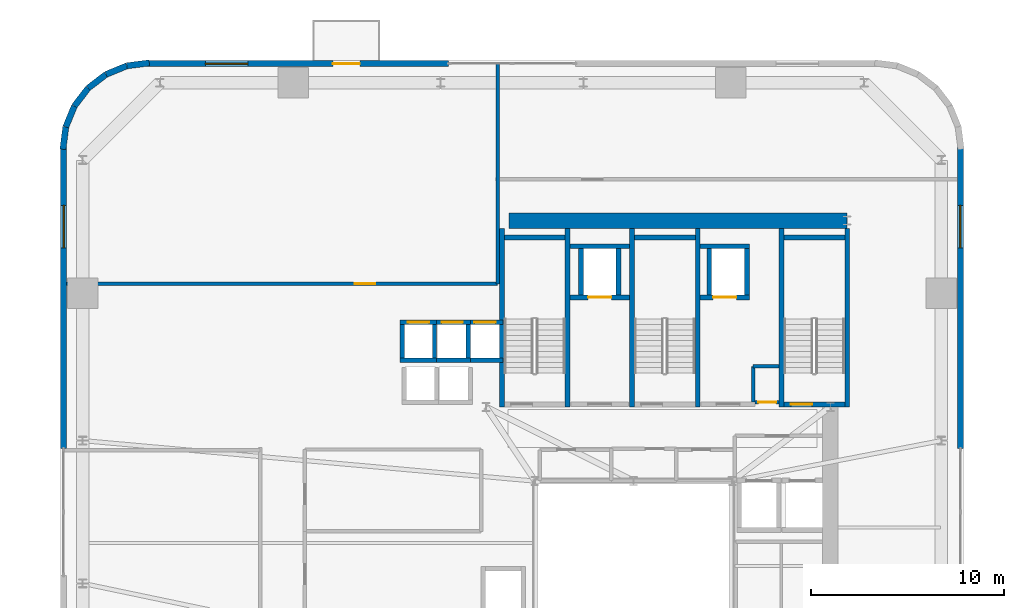
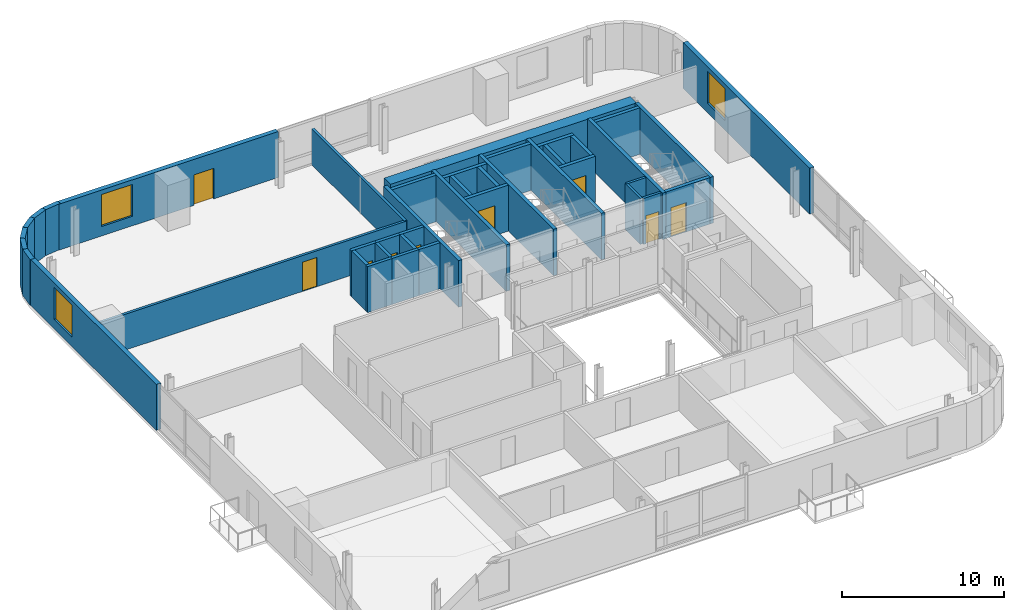
# One storey, part 8 of 13: 42 walls, 9 doors, 3 windows, 12 openings.
"""IFC4 building model written with IfcOpenShell, lengths in metres."""

import ifcopenshell
import ifcopenshell.guid

model = None  # the IFC model being written
_history = None  # IfcOwnerHistory: only IFC2X3 demands one
_inside = {}  # id of a spatial element -> (the spatial element, [elements in it])
_under = {}  # id of a project, library or spatial element -> (it, [spatial elements below it])
_declared = {}  # id of a project -> (the project, [libraries it declares])
_typed = {}  # id of a type object -> (the type object, [elements of that type])
_made_of = {}  # id of a material, layer set ... -> (it, [elements and type objects made of it])


def new_model(schema):
    """Start an empty IFC model of exactly this schema.

    Asked for "IFC4X3", IfcOpenShell would pick the latest addendum, in which some entities
    have other attributes; the version numbers below select the first issue.
    IFC2X3 requires an IfcOwnerHistory on every rooted entity: one is made here for all.
    """
    global model, _history
    if schema == "IFC4X3":
        model = ifcopenshell.file(schema_version=(4, 3, 0, 0))
    else:
        model = ifcopenshell.file(schema=schema)
    _inside.clear()
    _under.clear()
    _declared.clear()
    _typed.clear()
    _made_of.clear()
    _history = None
    if model.schema == "IFC2X3":
        org = make("IfcOrganization", Name="unknown")
        user = make(
            "IfcPersonAndOrganization",
            ThePerson=make("IfcPerson", FamilyName="unknown"),
            TheOrganization=org,
        )
        app = make(
            "IfcApplication",
            ApplicationDeveloper=org,
            Version="unknown",
            ApplicationFullName="unknown",
            ApplicationIdentifier="unknown",
        )
        _history = make(
            "IfcOwnerHistory",
            OwningUser=user,
            OwningApplication=app,
            ChangeAction="ADDED",
            CreationDate=0,
        )
    return model


def make(cls, **values):
    """One entity of the class cls with the attributes given. An attribute that is None is left unset."""
    return model.create_entity(
        cls, **{name: value for name, value in values.items() if value is not None}
    )


def rooted(cls, **values):
    """An entity with a GlobalId (a new one), such as an element, a storey or a relation."""
    return make(cls, GlobalId=ifcopenshell.guid.new(), OwnerHistory=_history, **values)


def si_unit(unit_type, name, prefix=None):
    """IfcSIUnit, for example si_unit("LENGTHUNIT", "METRE", prefix="MILLI")."""
    return make("IfcSIUnit", UnitType=unit_type, Prefix=prefix, Name=name)


def assignment(units):
    """IfcUnitAssignment: the units of a project."""
    return None if units is None else make("IfcUnitAssignment", Units=units)


def point(xyz):
    """IfcCartesianPoint."""
    return None if xyz is None else make("IfcCartesianPoint", Coordinates=xyz)


def direction(xyz):
    """IfcDirection."""
    return None if xyz is None else make("IfcDirection", DirectionRatios=xyz)


def frame(location, z_axis=None, x_axis=None):
    """IfcAxis2Placement3D, a coordinate frame: its origin and axes. An axis left out is left unset."""
    return make(
        "IfcAxis2Placement3D",
        Location=point(location),
        Axis=direction(z_axis),
        RefDirection=direction(x_axis),
    )


def frame_2d(location, x_axis=None):
    """IfcAxis2Placement2D, a coordinate frame in the plane: its origin and x axis."""
    return make(
        "IfcAxis2Placement2D", Location=point(location), RefDirection=direction(x_axis)
    )


def origin():
    """The frame at (0, 0, 0) with its axes left unset."""
    return frame((0.0, 0.0, 0.0))


def place(relative_to, where):
    """IfcLocalPlacement: puts the frame where relative to a parent placement (None: the world)."""
    return make(
        "IfcLocalPlacement", PlacementRelTo=relative_to, RelativePlacement=where
    )


def context(
    kind, dimensions, precision=None, world=None, true_north=None, identifier=None
):
    """IfcGeometricRepresentationContext, for example the 3D "Model" context."""
    return make(
        "IfcGeometricRepresentationContext",
        ContextIdentifier=identifier,
        ContextType=kind,
        CoordinateSpaceDimension=dimensions,
        Precision=precision,
        WorldCoordinateSystem=world,
        TrueNorth=true_north,
    )


def subcontext(parent, identifier, kind, view, scale=None):
    """IfcGeometricRepresentationSubContext, for example "Body" below "Model"."""
    return make(
        "IfcGeometricRepresentationSubContext",
        ContextIdentifier=identifier,
        ContextType=kind,
        ParentContext=parent,
        TargetScale=scale,
        TargetView=view,
    )


def project(units=None, contexts=None):
    """IfcProject with its units and contexts."""
    return rooted(
        "IfcProject",
        Name="project",
        RepresentationContexts=contexts,
        UnitsInContext=assignment(units),
    )


def spatial(cls, under=None, at=None, **own):
    """A site, building, storey or space (cls), placed at a placement, below another one or the project."""
    s = rooted(cls, ObjectPlacement=at, **own)
    if under is not None:
        _under.setdefault(under.id(), (under, []))[1].append(s)
    return s


def profile(cls, at=None, kind="AREA", **sizes):
    """A parametric profile (cls). Its sizes go by their IFC names, for example OverallWidth=200.0."""
    return make(cls, ProfileType=kind, Position=at, **sizes)


def rectangle(**sizes):
    """IfcRectangleProfileDef."""
    return profile("IfcRectangleProfileDef", **sizes)


def extrude(swept, where, along, depth):
    """IfcExtrudedAreaSolid: the profile swept, set in the frame where, extruded along a direction by depth."""
    return make(
        "IfcExtrudedAreaSolid",
        SweptArea=swept,
        Position=where,
        ExtrudedDirection=direction(along),
        Depth=depth,
    )


def shape(context_of_items, identifier, shape_type, items):
    """IfcShapeRepresentation: the items that make up one representation, for example the "Body"."""
    return make(
        "IfcShapeRepresentation",
        ContextOfItems=context_of_items,
        RepresentationIdentifier=identifier,
        RepresentationType=shape_type,
        Items=items,
    )


def source(mapping_origin, context_of_items, identifier, shape_type, items):
    """IfcRepresentationMap: a shape defined once, which mapped items show again and again."""
    return make(
        "IfcRepresentationMap",
        MappingOrigin=mapping_origin,
        MappedRepresentation=shape(context_of_items, identifier, shape_type, items),
    )


def transform(
    local_origin,
    x_axis=None,
    y_axis=None,
    z_axis=None,
    scale=None,
    scale2=None,
    scale3=None,
    uniform=True,
):
    """IfcCartesianTransformationOperator3D, or its non-uniform kind. x_axis, y_axis, z_axis: its Axis1, 2, 3."""
    if uniform:
        return make(
            "IfcCartesianTransformationOperator3D",
            Axis1=direction(x_axis),
            Axis2=direction(y_axis),
            LocalOrigin=point(local_origin),
            Scale=scale,
            Axis3=direction(z_axis),
        )
    return make(
        "IfcCartesianTransformationOperator3DnonUniform",
        Axis1=direction(x_axis),
        Axis2=direction(y_axis),
        LocalOrigin=point(local_origin),
        Scale=scale,
        Axis3=direction(z_axis),
        Scale2=scale2,
        Scale3=scale3,
    )


def mapped(mapping_source, mapping_target):
    """IfcMappedItem: shows the shape of a source again, moved by a transform."""
    return make(
        "IfcMappedItem", MappingSource=mapping_source, MappingTarget=mapping_target
    )


def material(Name=None, Category=None):
    """IfcMaterial."""
    return make("IfcMaterial", Name=Name, Category=Category)


def layer(
    of_material, thickness, ventilated=None, Name=None, Category=None, Priority=None
):
    """IfcMaterialLayer: one layer of a wall or slab, of a material (None: an air gap)."""
    return make(
        "IfcMaterialLayer",
        Material=of_material,
        LayerThickness=thickness,
        IsVentilated=ventilated,
        Name=Name,
        Category=Category,
        Priority=Priority,
    )


def layer_set(layers, Name=None):
    """IfcMaterialLayerSet."""
    return make("IfcMaterialLayerSet", MaterialLayers=layers, LayerSetName=Name)


def made_of(thing, what):
    """Note that an element or type object is made of a material, layer set ...; save() writes the relation."""
    if what is not None:
        _made_of.setdefault(what.id(), (what, []))[1].append(thing)
    return thing


def type_object(cls, material=None, **own):
    """A type object (cls), such as IfcWallType, which elements share."""
    return made_of(rooted(cls, **own), material)


def element(
    cls,
    number,
    at=None,
    inside=None,
    cuts=None,
    type_object=None,
    material=None,
    context=None,
    identifier="Body",
    shape_type=None,
    held_by="IfcProductDefinitionShape",
    body=None,
    shapes=None,
    **own,
):
    """One element of the class cls, such as IfcWall. Its Tag is "e" and its number.

    at: its placement. inside: the storey or other place that contains it. cuts: it is an
    opening in that element (IfcRelVoidsElement). A single representation is given by context,
    identifier, shape_type and body (its items); several are given by shapes. held_by: the class
    of the entity that holds the representations. save() writes the other relations.
    """
    e = rooted(cls, Tag="e%d" % number, ObjectPlacement=at, **own)
    if body is not None:
        shapes = [shape(context, identifier, shape_type, body)]
    if shapes is not None:
        e.Representation = make(held_by, Representations=shapes)
    if inside is not None:
        _inside.setdefault(inside.id(), (inside, []))[1].append(e)
    if cuts is not None:
        rooted(
            "IfcRelVoidsElement", RelatingBuildingElement=cuts, RelatedOpeningElement=e
        )
    if type_object is not None:
        _typed.setdefault(type_object.id(), (type_object, []))[1].append(e)
    return made_of(e, material)


def fill(opening, filler):
    """IfcRelFillsElement: the door or window that sits in an opening."""
    return rooted(
        "IfcRelFillsElement",
        RelatingOpeningElement=opening,
        RelatedBuildingElement=filler,
    )


def aggregate(whole, parts):
    """IfcRelAggregates: a whole, such as a stair, and the parts it consists of."""
    return rooted("IfcRelAggregates", RelatingObject=whole, RelatedObjects=parts)


def save(model, path):
    """Write the relations noted so far, then the file.

    IfcRelAggregates (storeys below a building ...), IfcRelContainedInSpatialStructure (elements
    in a storey), IfcRelDefinesByType, IfcRelAssociatesMaterial and IfcRelDeclares: one each for
    every whole, place, type object, material and project.
    """
    for whole, parts in _under.values():
        aggregate(whole, parts)
    for where, things in _inside.values():
        rooted(
            "IfcRelContainedInSpatialStructure",
            RelatedElements=things,
            RelatingStructure=where,
        )
    for kind, things in _typed.values():
        rooted("IfcRelDefinesByType", RelatedObjects=things, RelatingType=kind)
    for what, things in _made_of.values():
        rooted("IfcRelAssociatesMaterial", RelatedObjects=things, RelatingMaterial=what)
    for by, libraries in _declared.values():
        rooted("IfcRelDeclares", RelatingContext=by, RelatedDefinitions=libraries)
    model.write(path)


model = new_model("IFC4")

# Units and contexts
model_context = context("Model", 3, precision=1e-05, world=origin(), true_north=direction((0.0, 1.0)))
body_context = subcontext(model_context, "Body", "Model", "MODEL_VIEW")
ifc_project = project(units=[si_unit("LENGTHUNIT", "METRE"), si_unit("AREAUNIT", "SQUARE_METRE"), si_unit("VOLUMEUNIT", "CUBIC_METRE"), si_unit("PLANEANGLEUNIT", "RADIAN"), si_unit("MASSUNIT", "GRAM", prefix="KILO")], contexts=[model_context])

# Site, building, storey
site_placement = place(None, origin())
site = spatial("IfcSite", under=ifc_project, at=site_placement, CompositionType="ELEMENT")
building_placement = place(site_placement, origin())
building = spatial("IfcBuilding", under=site, at=building_placement, Name="Vardaveli Station Tower", CompositionType="ELEMENT")
storey_placement = place(building_placement, frame((0.0, 0.0, 159.39990234375)))
storey = spatial("IfcBuildingStorey", under=building, at=storey_placement, Name="L41", CompositionType="ELEMENT", Elevation=159.39990234375)

# Wall
ifc_material_1 = material(Name="Concrete C50/60", Category="concrete")
ifc_layer_1 = layer(ifc_material_1, 0.800048828125, Name="Concrete C50/60")
ifc_layer_set_1 = layer_set([ifc_layer_1], Name="Concrete C50/60")
wall_type_1 = type_object("IfcWallType", Name="WAL-CORE-800", PredefinedType="SHEAR", material=ifc_layer_set_1)
shared_shape_1 = source(origin(), body_context, "Body", "SweptSolid", [
    extrude(rectangle(XDim=17.52001953125, YDim=0.800048828125, at=frame_2d((8.760009765625, 0.0))), origin(), (0.0, 0.0, 1.0), 3.460205078125),
])
wall_1_placement = place(storey_placement, frame((29.85009765625, 40.300048828125, 0.0), z_axis=(0.0, 0.0, 1.0), x_axis=(1.0, 0.0, 0.0)))
element("IfcWall", 1, at=wall_1_placement, inside=storey, type_object=wall_type_1, Name="SW-L41-NORTH", PredefinedType="SHEAR", context=body_context, shape_type="MappedRepresentation", body=[
    mapped(shared_shape_1, transform((0.0, 0.0, 0.0), scale=1.0)),
])

# Wall, openings, door, window
ifc_material_2 = material(Name="Precast concrete C45/55", Category="concrete")
ifc_layer_2 = layer(ifc_material_2, 0.320068359375, Name="Precast concrete C45/55")
ifc_layer_set_2 = layer_set([ifc_layer_2], Name="Precast concrete C45/55")
wall_type_2 = type_object("IfcWallType", Name="WAL-EXT-STONE-320", PredefinedType="SOLIDWALL", material=ifc_layer_set_2)
shared_shape_2 = source(origin(), body_context, "Body", "SweptSolid", [
    extrude(rectangle(XDim=15.599853515625, YDim=0.320068359375, at=frame_2d((7.7998046875, 0.0))), origin(), (0.0, 0.0, 1.0), 3.460205078125),
])
wall_2_placement = place(storey_placement, frame((26.699951171875, 48.43994140625, 0.0), z_axis=(0.0, 0.0, 1.0), x_axis=(-1.0, 0.0, 0.0)))
wall_2 = element("IfcWall", 2, at=wall_2_placement, inside=storey, type_object=wall_type_2, Name="EW-L41-N2", PredefinedType="SOLIDWALL", context=body_context, shape_type="MappedRepresentation", body=[
    mapped(shared_shape_2, transform((0.0, 0.0, 0.0), scale=1.0)),
])
shared_shape_3 = source(origin(), body_context, "Body", "SweptSolid", [
    extrude(rectangle(XDim=1.39990234375, YDim=2.300048828125, at=frame_2d((0.699951171875, 1.14990234375))), frame((0.0, 0.169921875, 0.0), z_axis=(0.0, -1.0, 0.0), x_axis=(1.0, 0.0, 0.0)), (0.0, 0.0, 1.0), 0.340087890625),
])
opening_1_placement = place(wall_2_placement, frame((4.589599609375, 0.0, 0.0)))
opening_1 = element("IfcOpeningElement", 3, at=opening_1_placement, cuts=wall_2, Name="Opening D-09", PredefinedType="OPENING", context=body_context, shape_type="MappedRepresentation", body=[
    mapped(shared_shape_3, transform((0.0, 0.0, 0.0), scale=1.0)),
])
shared_shape_4 = source(origin(), body_context, "Body", "SweptSolid", [
    extrude(rectangle(XDim=2.199951171875, YDim=2.39990234375, at=frame_2d((1.10009765625, 1.199951171875))), frame((0.0, 0.169921875, 0.0), z_axis=(0.0, -1.0, 0.0), x_axis=(1.0, 0.0, 0.0)), (0.0, 0.0, 1.0), 0.340087890625),
])
opening_2_placement = place(wall_2_placement, frame((10.39501953125, 0.0, 0.719970703125)))
opening_2 = element("IfcOpeningElement", 4, at=opening_2_placement, cuts=wall_2, Name="Opening W-03", PredefinedType="OPENING", context=body_context, shape_type="MappedRepresentation", body=[
    mapped(shared_shape_4, transform((0.0, 0.0, 0.0), scale=1.0)),
])
ifc_material_3 = material(Name="Thermally broken aluminium glass", Category="aluminium")
door_type_1 = type_object("IfcDoorType", Name="DR-LOG-1400x2300", OperationType="DOUBLE_DOOR_SLIDING", PredefinedType="DOOR", material=ifc_material_3)
shared_shape_5 = source(origin(), body_context, "Body", "SweptSolid", [
    extrude(rectangle(XDim=1.39990234375, YDim=2.300048828125, at=frame_2d((0.699951171875, 1.14990234375))), frame((0.0, 0.02490234375, 0.0), z_axis=(0.0, -1.0, 0.0), x_axis=(1.0, 0.0, 0.0)), (0.0, 0.0, 1.0), 0.050048828125),
])
door_1_placement = place(opening_1_placement, frame((1.39990234375, 0.0, 0.0), z_axis=(0.0, 0.0, 1.0), x_axis=(-1.0, 0.0, 0.0)))
door_1 = element("IfcDoor", 5, at=door_1_placement, inside=storey, type_object=door_type_1, Name="DLG-L41-N", OperationType="DOUBLE_DOOR_SLIDING", OverallHeight=2.300048828125, OverallWidth=1.39990234375, PredefinedType="DOOR", context=body_context, shape_type="MappedRepresentation", body=[
    mapped(shared_shape_5, transform((0.0, 0.0, 0.0), scale=1.0)),
])
fill(opening_1, door_1)
ifc_material_4 = material(Name="Low-E solar-control glass", Category="glass")
window_type = type_object("IfcWindowType", Name="WIN-LOG-2200x2400", PartitioningType="SINGLE_PANEL", PredefinedType="WINDOW", material=ifc_material_4)
shared_shape_6 = source(origin(), body_context, "Body", "SweptSolid", [
    extrude(rectangle(XDim=2.199951171875, YDim=2.39990234375, at=frame_2d((1.10009765625, 1.199951171875))), frame((0.0, 0.030029296875, 0.0), z_axis=(0.0, -1.0, 0.0), x_axis=(1.0, 0.0, 0.0)), (0.0, 0.0, 1.0), 0.06005859375),
])
window_1_placement = place(opening_2_placement, origin())
window_1 = element("IfcWindow", 6, at=window_1_placement, inside=storey, type_object=window_type, Name="WN-L41-N2", OverallHeight=2.39990234375, OverallWidth=2.199951171875, PartitioningType="SINGLE_PANEL", PredefinedType="WINDOW", context=body_context, shape_type="MappedRepresentation", body=[
    mapped(shared_shape_6, transform((0.0, 0.0, 0.0), scale=1.0)),
])
fill(opening_2, window_1)

# Wall, opening, window
shared_shape_7 = source(origin(), body_context, "Body", "SweptSolid", [
    extrude(rectangle(XDim=15.60009765625, YDim=0.320068359375, at=frame_2d((7.800048828125, 0.0))), origin(), (0.0, 0.0, 1.0), 3.460205078125),
])
wall_3_placement = place(storey_placement, frame((6.760009765625, 44.10009765625, 0.0), z_axis=(0.0, 0.0, 1.0), x_axis=(0.0, -1.0, 0.0)))
wall_3 = element("IfcWall", 7, at=wall_3_placement, inside=storey, type_object=wall_type_2, Name="EW-L41-W1", PredefinedType="SOLIDWALL", context=body_context, shape_type="MappedRepresentation", body=[
    mapped(shared_shape_7, transform((0.0, 0.0, 0.0), scale=1.0)),
])
opening_3_placement = place(wall_3_placement, frame((3.0048828125, 0.0, 0.719970703125)))
opening_3 = element("IfcOpeningElement", 8, at=opening_3_placement, cuts=wall_3, Name="Opening W-03", PredefinedType="OPENING", context=body_context, shape_type="MappedRepresentation", body=[
    mapped(shared_shape_4, transform((0.0, 0.0, 0.0), scale=1.0)),
])
window_2_placement = place(opening_3_placement, origin())
window_2 = element("IfcWindow", 9, at=window_2_placement, inside=storey, type_object=window_type, Name="WN-L41-W1", OverallHeight=2.39990234375, OverallWidth=2.199951171875, PartitioningType="SINGLE_PANEL", PredefinedType="WINDOW", context=body_context, shape_type="MappedRepresentation", body=[
    mapped(shared_shape_6, transform((0.0, 0.0, 0.0), scale=1.0)),
])
fill(opening_3, window_2)

wall_4_placement = place(storey_placement, frame((53.239990234375, 28.5, 0.0), z_axis=(0.0, 0.0, 1.0), x_axis=(0.0, 1.0, 0.0)))
wall_4 = element("IfcWall", 10, at=wall_4_placement, inside=storey, type_object=wall_type_2, Name="EW-L41-E2", PredefinedType="SOLIDWALL", context=body_context, shape_type="MappedRepresentation", body=[
    mapped(shared_shape_7, transform((0.0, 0.0, 0.0), scale=1.0)),
])
opening_4_placement = place(wall_4_placement, frame((10.39501953125, 0.0, 0.719970703125)))
opening_4 = element("IfcOpeningElement", 11, at=opening_4_placement, cuts=wall_4, Name="Opening W-03", PredefinedType="OPENING", context=body_context, shape_type="MappedRepresentation", body=[
    mapped(shared_shape_4, transform((0.0, 0.0, 0.0), scale=1.0)),
])
window_3_placement = place(opening_4_placement, origin())
window_3 = element("IfcWindow", 12, at=window_3_placement, inside=storey, type_object=window_type, Name="WN-L41-E2", OverallHeight=2.39990234375, OverallWidth=2.199951171875, PartitioningType="SINGLE_PANEL", PredefinedType="WINDOW", context=body_context, shape_type="MappedRepresentation", body=[
    mapped(shared_shape_6, transform((0.0, 0.0, 0.0), scale=1.0)),
])
fill(opening_4, window_3)

# Walls
shared_shape_8 = source(origin(), body_context, "Body", "SweptSolid", [
    extrude(rectangle(XDim=1.1689453125, YDim=0.320068359375, at=frame_2d((0.58447265625, 0.0))), origin(), (0.0, 0.0, 1.0), 3.460205078125),
])
wall_5_placement = place(storey_placement, frame((8.03125, 47.1689453125, 0.0), z_axis=(0.0, 0.0, 1.0), x_axis=(-0.608387696831, -0.793639975269, 0.0)))
element("IfcWall", 13, at=wall_5_placement, inside=storey, type_object=wall_type_2, Name="EW-L41-CR4-4", PredefinedType="SOLIDWALL", context=body_context, shape_type="MappedRepresentation", body=[
    mapped(shared_shape_8, transform((0.0, 0.0, 0.0), scale=1.0)),
])
shared_shape_9 = source(origin(), body_context, "Body", "SweptSolid", [
    extrude(rectangle(XDim=1.168701171875, YDim=0.320068359375, at=frame_2d((0.58447265625, 0.0))), origin(), (0.0, 0.0, 1.0), 3.460205078125),
])
wall_6_placement = place(storey_placement, frame((8.958740234375, 47.8798828125, 0.0), z_axis=(0.0, 0.0, 1.0), x_axis=(-0.793663520347, -0.608356981114, 0.0)))
element("IfcWall", 14, at=wall_6_placement, inside=storey, type_object=wall_type_2, Name="EW-L41-CR4-3", PredefinedType="SOLIDWALL", context=body_context, shape_type="MappedRepresentation", body=[
    mapped(shared_shape_9, transform((0.0, 0.0, 0.0), scale=1.0)),
])
shared_shape_10 = source(origin(), body_context, "Body", "SweptSolid", [
    extrude(rectangle(XDim=1.17041015625, YDim=0.320068359375, at=frame_2d((0.585205078125, 0.0))), origin(), (0.0, 0.0, 1.0), 3.460205078125),
])
for number, where, z_axis, x_axis, name in (
    (15, (11.200439453125, 48.4755859375, 0.0), (0.0, 0.0, 1.0), (-0.991735963317, -0.128295670475, 0.0), "EW-L41-CR4-1"),
    (16, (6.87451171875, 45.16015625, 0.0), (0.0, 0.0, 1.0), (-0.128295670475, -0.991735963317, 0.0), "EW-L41-CR4-6"),
):
    element("IfcWall", number, at=place(storey_placement, frame(where, z_axis=z_axis, x_axis=x_axis)), inside=storey, type_object=wall_type_2, Name=name, PredefinedType="SOLIDWALL", context=body_context, shape_type="MappedRepresentation", body=[
        mapped(shared_shape_10, transform((0.0, 0.0, 0.0), scale=1.0)),
    ])
shared_shape_11 = source(origin(), body_context, "Body", "SweptSolid", [
    extrude(rectangle(XDim=1.169189453125, YDim=0.320068359375, at=frame_2d((0.58447265625, 0.0))), origin(), (0.0, 0.0, 1.0), 3.460205078125),
])
for number, where, z_axis, x_axis, name in (
    (17, (10.039794921875, 48.325439453125, 0.0), (0.0, 0.0, 1.0), (-0.924552646638, -0.381054331552, 0.0), "EW-L41-CR4-2"),
    (18, (7.320068359375, 46.2412109375, 0.0), (0.0, 0.0, 1.0), (-0.381054331552, -0.924552646638, 0.0), "EW-L41-CR4-5"),
):
    element("IfcWall", number, at=place(storey_placement, frame(where, z_axis=z_axis, x_axis=x_axis)), inside=storey, type_object=wall_type_2, Name=name, PredefinedType="SOLIDWALL", context=body_context, shape_type="MappedRepresentation", body=[
        mapped(shared_shape_11, transform((0.0, 0.0, 0.0), scale=1.0)),
    ])
ifc_material_5 = material(Name="Concrete C40/50", Category="concrete")
ifc_layer_3 = layer(ifc_material_5, 0.25, Name="Concrete C40/50")
ifc_layer_set_3 = layer_set([ifc_layer_3], Name="Concrete C40/50")
wall_type_3 = type_object("IfcWallType", Name="WAL-SHAFT-250", PredefinedType="SOLIDWALL", material=ifc_layer_set_3)
shared_shape_12 = source(origin(), body_context, "Body", "SweptSolid", [
    extrude(rectangle(XDim=9.25, YDim=0.25, at=frame_2d((4.625, 0.0))), origin(), (0.0, 0.0, 1.0), 3.5),
])
for number, where, z_axis, x_axis, name in (
    (19, (29.47509765625, 30.64990234375, 0.0), (0.0, 0.0, 1.0), (0.0, 1.0, 0.0), "W-L41-ST-1W"),
    (20, (32.875, 30.64990234375, 0.0), (0.0, 0.0, 1.0), (0.0, 1.0, 0.0), "W-L41-ST-1E"),
    (21, (36.22509765625, 30.64990234375, 0.0), (0.0, 0.0, 1.0), (0.0, 1.0, 0.0), "W-L41-ST-2W"),
    (22, (39.625, 30.64990234375, 0.0), (0.0, 0.0, 1.0), (0.0, 1.0, 0.0), "W-L41-ST-2E"),
    (23, (43.97509765625, 30.64990234375, 0.0), (0.0, 0.0, 1.0), (0.0, 1.0, 0.0), "W-L41-ST-3W"),
    (24, (47.375, 30.64990234375, 0.0), (0.0, 0.0, 1.0), (0.0, 1.0, 0.0), "W-L41-ST-3E"),
):
    element("IfcWall", number, at=place(storey_placement, frame(where, z_axis=z_axis, x_axis=x_axis)), inside=storey, type_object=wall_type_3, Name=name, PredefinedType="SOLIDWALL", context=body_context, shape_type="MappedRepresentation", body=[
        mapped(shared_shape_12, transform((0.0, 0.0, 0.0), scale=1.0)),
    ])
shared_shape_13 = source(origin(), body_context, "Body", "SweptSolid", [
    extrude(rectangle(XDim=3.14990234375, YDim=0.25, at=frame_2d((1.574951171875, 0.0))), origin(), (0.0, 0.0, 1.0), 3.5),
])
for number, where, z_axis, x_axis, name in (
    (25, (29.60009765625, 39.425048828125, 0.0), (0.0, 0.0, 1.0), (1.0, 0.0, 0.0), "W-L41-ST-1N"),
    (26, (36.35009765625, 39.425048828125, 0.0), (0.0, 0.0, 1.0), (1.0, 0.0, 0.0), "W-L41-ST-2N"),
    (27, (44.10009765625, 39.425048828125, 0.0), (0.0, 0.0, 1.0), (1.0, 0.0, 0.0), "W-L41-ST-3N"),
):
    element("IfcWall", number, at=place(storey_placement, frame(where, z_axis=z_axis, x_axis=x_axis)), inside=storey, type_object=wall_type_3, Name=name, PredefinedType="SOLIDWALL", context=body_context, shape_type="MappedRepresentation", body=[
        mapped(shared_shape_13, transform((0.0, 0.0, 0.0), scale=1.0)),
    ])

# Wall, opening, door
wall_7_placement = place(storey_placement, frame((44.10009765625, 30.77490234375, 0.0), z_axis=(0.0, 0.0, 1.0), x_axis=(1.0, 0.0, 0.0)))
wall_7 = element("IfcWall", 28, at=wall_7_placement, inside=storey, type_object=wall_type_3, Name="W-L41-ST-3S", PredefinedType="SOLIDWALL", context=body_context, shape_type="MappedRepresentation", body=[
    mapped(shared_shape_13, transform((0.0, 0.0, 0.0), scale=1.0)),
])
shared_shape_14 = source(origin(), body_context, "Body", "SweptSolid", [
    extrude(rectangle(XDim=1.10009765625, YDim=2.199951171875, at=frame_2d((0.550048828125, 1.10009765625))), frame((0.0, 0.135009765625, 0.0), z_axis=(0.0, -1.0, 0.0), x_axis=(1.0, 0.0, 0.0)), (0.0, 0.0, 1.0), 0.27001953125),
])
opening_5_placement = place(wall_7_placement, frame((0.35009765625, 0.0, 0.0)))
opening_5 = element("IfcOpeningElement", 29, at=opening_5_placement, cuts=wall_7, Name="Opening D-04", PredefinedType="OPENING", context=body_context, shape_type="MappedRepresentation", body=[
    mapped(shared_shape_14, transform((0.0, 0.0, 0.0), scale=1.0)),
])
ifc_material_6 = material(Name="Steel smokeproof fire doorset", Category="steel")
door_type_2 = type_object("IfcDoorType", Name="DR-ST-1100x2200", OperationType="NOTDEFINED", PredefinedType="DOOR", material=ifc_material_6)
shared_shape_15 = source(origin(), body_context, "Body", "SweptSolid", [
    extrude(rectangle(XDim=1.10009765625, YDim=2.199951171875, at=frame_2d((0.550048828125, 1.10009765625))), frame((0.0, 0.02490234375, 0.0), z_axis=(0.0, -1.0, 0.0), x_axis=(1.0, 0.0, 0.0)), (0.0, 0.0, 1.0), 0.050048828125),
])
door_2_placement = place(opening_5_placement, origin())
door_2 = element("IfcDoor", 30, at=door_2_placement, inside=storey, type_object=door_type_2, Name="DST-3-L41", OperationType="SINGLE_SWING_LEFT", OverallHeight=2.199951171875, OverallWidth=1.10009765625, PredefinedType="DOOR", context=body_context, shape_type="MappedRepresentation", body=[
    mapped(shared_shape_15, transform((0.0, 0.0, 0.0), scale=1.0)),
])
fill(opening_5, door_2)

# Wall
ifc_layer_4 = layer(ifc_material_5, 0.219970703125, Name="Concrete C40/50")
ifc_layer_set_4 = layer_set([ifc_layer_4], Name="Concrete C40/50")
wall_type_4 = type_object("IfcWallType", Name="WAL-FFLOBBY-220", PredefinedType="SOLIDWALL", material=ifc_layer_set_4)
shared_shape_16 = source(origin(), body_context, "Body", "SweptSolid", [
    extrude(rectangle(XDim=1.889892578125, YDim=0.219970703125, at=frame_2d((0.94482421875, 0.0))), origin(), (0.0, 0.0, 1.0), 3.460205078125),
])
wall_8_placement = place(storey_placement, frame((24.205078125, 33.06494140625, 0.0), z_axis=(0.0, 0.0, 1.0), x_axis=(1.0, 0.0, 0.0)))
element("IfcWall", 31, at=wall_8_placement, inside=storey, type_object=wall_type_4, Name="SHW-HL2-01-L41-S", PredefinedType="SOLIDWALL", context=body_context, shape_type="MappedRepresentation", body=[
    mapped(shared_shape_16, transform((0.0, 0.0, 0.0), scale=1.0)),
])

# Wall, opening, door
wall_9_placement = place(storey_placement, frame((24.205078125, 35.034912109375, 0.0), z_axis=(0.0, 0.0, 1.0), x_axis=(1.0, 0.0, 0.0)))
wall_9 = element("IfcWall", 32, at=wall_9_placement, inside=storey, type_object=wall_type_4, Name="SHW-HL2-01-L41-N", PredefinedType="SOLIDWALL", context=body_context, shape_type="MappedRepresentation", body=[
    mapped(shared_shape_16, transform((0.0, 0.0, 0.0), scale=1.0)),
])
shared_shape_17 = source(origin(), body_context, "Body", "SweptSolid", [
    extrude(rectangle(XDim=1.10009765625, YDim=2.199951171875, at=frame_2d((0.550048828125, 1.10009765625))), frame((0.0, 0.1201171875, 0.0), z_axis=(0.0, -1.0, 0.0), x_axis=(1.0, 0.0, 0.0)), (0.0, 0.0, 1.0), 0.239990234375),
])
opening_6_placement = place(wall_9_placement, frame((0.39501953125, 0.0, 0.0)))
opening_6 = element("IfcOpeningElement", 33, at=opening_6_placement, cuts=wall_9, Name="Opening LD-01", PredefinedType="OPENING", context=body_context, shape_type="MappedRepresentation", body=[
    mapped(shared_shape_17, transform((0.0, 0.0, 0.0), scale=1.0)),
])
ifc_material_7 = material(Name="Brushed stainless steel", Category="steel")
door_type_3 = type_object("IfcDoorType", Name="DR-LD-1100x2200", OperationType="DOUBLE_DOOR_SLIDING", PredefinedType="DOOR", material=ifc_material_7)
door_3_placement = place(opening_6_placement, origin())
door_3 = element("IfcDoor", 34, at=door_3_placement, inside=storey, type_object=door_type_3, Name="LD-HL2-01-L41", OperationType="DOUBLE_DOOR_SLIDING", OverallHeight=2.199951171875, OverallWidth=1.10009765625, PredefinedType="DOOR", context=body_context, shape_type="MappedRepresentation", body=[
    mapped(shared_shape_15, transform((0.0, 0.0, 0.0), scale=1.0)),
])
fill(opening_6, door_3)

# Wall
wall_10_placement = place(storey_placement, frame((25.955078125, 33.06494140625, 0.0), z_axis=(0.0, 0.0, 1.0), x_axis=(1.0, 0.0, 0.0)))
element("IfcWall", 35, at=wall_10_placement, inside=storey, type_object=wall_type_4, Name="SHW-HL2-02-L41-S", PredefinedType="SOLIDWALL", context=body_context, shape_type="MappedRepresentation", body=[
    mapped(shared_shape_16, transform((0.0, 0.0, 0.0), scale=1.0)),
])

# Wall, opening, door
wall_11_placement = place(storey_placement, frame((25.955078125, 35.034912109375, 0.0), z_axis=(0.0, 0.0, 1.0), x_axis=(1.0, 0.0, 0.0)))
wall_11 = element("IfcWall", 36, at=wall_11_placement, inside=storey, type_object=wall_type_4, Name="SHW-HL2-02-L41-N", PredefinedType="SOLIDWALL", context=body_context, shape_type="MappedRepresentation", body=[
    mapped(shared_shape_16, transform((0.0, 0.0, 0.0), scale=1.0)),
])
opening_7_placement = place(wall_11_placement, frame((0.39501953125, 0.0, 0.0)))
opening_7 = element("IfcOpeningElement", 37, at=opening_7_placement, cuts=wall_11, Name="Opening LD-01", PredefinedType="OPENING", context=body_context, shape_type="MappedRepresentation", body=[
    mapped(shared_shape_17, transform((0.0, 0.0, 0.0), scale=1.0)),
])
door_4_placement = place(opening_7_placement, origin())
door_4 = element("IfcDoor", 38, at=door_4_placement, inside=storey, type_object=door_type_3, Name="LD-HL2-02-L41", OperationType="DOUBLE_DOOR_SLIDING", OverallHeight=2.199951171875, OverallWidth=1.10009765625, PredefinedType="DOOR", context=body_context, shape_type="MappedRepresentation", body=[
    mapped(shared_shape_15, transform((0.0, 0.0, 0.0), scale=1.0)),
])
fill(opening_7, door_4)

# Wall
wall_12_placement = place(storey_placement, frame((27.655029296875, 33.06494140625, 0.0), z_axis=(0.0, 0.0, 1.0), x_axis=(1.0, 0.0, 0.0)))
element("IfcWall", 39, at=wall_12_placement, inside=storey, type_object=wall_type_4, Name="SHW-HL2-03-L41-S", PredefinedType="SOLIDWALL", context=body_context, shape_type="MappedRepresentation", body=[
    mapped(shared_shape_16, transform((0.0, 0.0, 0.0), scale=1.0)),
])

# Wall, opening, door
wall_13_placement = place(storey_placement, frame((27.655029296875, 35.034912109375, 0.0), z_axis=(0.0, 0.0, 1.0), x_axis=(1.0, 0.0, 0.0)))
wall_13 = element("IfcWall", 40, at=wall_13_placement, inside=storey, type_object=wall_type_4, Name="SHW-HL2-03-L41-N", PredefinedType="SOLIDWALL", context=body_context, shape_type="MappedRepresentation", body=[
    mapped(shared_shape_16, transform((0.0, 0.0, 0.0), scale=1.0)),
])
opening_8_placement = place(wall_13_placement, frame((0.39501953125, 0.0, 0.0)))
opening_8 = element("IfcOpeningElement", 41, at=opening_8_placement, cuts=wall_13, Name="Opening LD-01", PredefinedType="OPENING", context=body_context, shape_type="MappedRepresentation", body=[
    mapped(shared_shape_17, transform((0.0, 0.0, 0.0), scale=1.0)),
])
door_5_placement = place(opening_8_placement, origin())
door_5 = element("IfcDoor", 42, at=door_5_placement, inside=storey, type_object=door_type_3, Name="LD-HL2-03-L41", OperationType="DOUBLE_DOOR_SLIDING", OverallHeight=2.199951171875, OverallWidth=1.10009765625, PredefinedType="DOOR", context=body_context, shape_type="MappedRepresentation", body=[
    mapped(shared_shape_15, transform((0.0, 0.0, 0.0), scale=1.0)),
])
fill(opening_8, door_5)

# Walls
shared_shape_18 = source(origin(), body_context, "Body", "SweptSolid", [
    extrude(rectangle(XDim=1.75, YDim=0.219970703125, at=frame_2d((0.875, 0.0))), origin(), (0.0, 0.0, 1.0), 3.460205078125),
])
for number, where, z_axis, x_axis, name in (
    (43, (24.31494140625, 33.175048828125, 0.0), (0.0, 0.0, 1.0), (0.0, 1.0, 0.0), "SHW-HL2-01-L41-W"),
    (44, (25.985107421875, 33.175048828125, 0.0), (0.0, 0.0, 1.0), (0.0, 1.0, 0.0), "SHW-HL2-01-L41-E"),
    (45, (27.735107421875, 33.175048828125, 0.0), (0.0, 0.0, 1.0), (0.0, 1.0, 0.0), "SHW-HL2-02-L41-E"),
):
    element("IfcWall", number, at=place(storey_placement, frame(where, z_axis=z_axis, x_axis=x_axis)), inside=storey, type_object=wall_type_4, Name=name, PredefinedType="SOLIDWALL", context=body_context, shape_type="MappedRepresentation", body=[
        mapped(shared_shape_18, transform((0.0, 0.0, 0.0), scale=1.0)),
    ])

# Wall, opening, door
shared_shape_19 = source(origin(), body_context, "Body", "SweptSolid", [
    extrude(rectangle(XDim=3.10009765625, YDim=0.25, at=frame_2d((1.550048828125, 0.0))), origin(), (0.0, 0.0, 1.0), 3.460205078125),
])
wall_14_placement = place(storey_placement, frame((33.0, 36.324951171875, 0.0), z_axis=(0.0, 0.0, 1.0), x_axis=(1.0, 0.0, 0.0)))
wall_14 = element("IfcWall", 46, at=wall_14_placement, inside=storey, type_object=wall_type_3, Name="SHW-FFL-01-L41-S", PredefinedType="SOLIDWALL", context=body_context, shape_type="MappedRepresentation", body=[
    mapped(shared_shape_19, transform((0.0, 0.0, 0.0), scale=1.0)),
])
shared_shape_20 = source(origin(), body_context, "Body", "SweptSolid", [
    extrude(rectangle(XDim=1.199951171875, YDim=2.25, at=frame_2d((0.60009765625, 1.125))), frame((0.0, 0.135009765625, 0.0), z_axis=(0.0, -1.0, 0.0), x_axis=(1.0, 0.0, 0.0)), (0.0, 0.0, 1.0), 0.27001953125),
])
opening_9_placement = place(wall_14_placement, frame((0.949951171875, 0.0, 0.0)))
opening_9 = element("IfcOpeningElement", 47, at=opening_9_placement, cuts=wall_14, Name="Opening LD-02", PredefinedType="OPENING", context=body_context, shape_type="MappedRepresentation", body=[
    mapped(shared_shape_20, transform((0.0, 0.0, 0.0), scale=1.0)),
])
door_type_4 = type_object("IfcDoorType", Name="DR-LD-1200x2250", OperationType="DOUBLE_DOOR_SLIDING", PredefinedType="DOOR", material=ifc_material_7)
shared_shape_21 = source(origin(), body_context, "Body", "SweptSolid", [
    extrude(rectangle(XDim=1.199951171875, YDim=2.25, at=frame_2d((0.60009765625, 1.125))), frame((0.0, 0.02490234375, 0.0), z_axis=(0.0, -1.0, 0.0), x_axis=(1.0, 0.0, 0.0)), (0.0, 0.0, 1.0), 0.050048828125),
])
door_6_placement = place(opening_9_placement, origin())
door_6 = element("IfcDoor", 48, at=door_6_placement, inside=storey, type_object=door_type_4, Name="LD-FFL-01-L41", OperationType="DOUBLE_DOOR_SLIDING", OverallHeight=2.25, OverallWidth=1.199951171875, PredefinedType="DOOR", context=body_context, shape_type="MappedRepresentation", body=[
    mapped(shared_shape_21, transform((0.0, 0.0, 0.0), scale=1.0)),
])
fill(opening_9, door_6)

# Walls
wall_15_placement = place(storey_placement, frame((33.0, 38.97509765625, 0.0), z_axis=(0.0, 0.0, 1.0), x_axis=(1.0, 0.0, 0.0)))
element("IfcWall", 49, at=wall_15_placement, inside=storey, type_object=wall_type_3, Name="SHW-FFL-01-L41-N", PredefinedType="SOLIDWALL", context=body_context, shape_type="MappedRepresentation", body=[
    mapped(shared_shape_19, transform((0.0, 0.0, 0.0), scale=1.0)),
])
shared_shape_22 = source(origin(), body_context, "Body", "SweptSolid", [
    extrude(rectangle(XDim=2.400146484375, YDim=0.25, at=frame_2d((1.2001953125, 0.0))), origin(), (0.0, 0.0, 1.0), 3.460205078125),
])
for number, where, z_axis, x_axis, name in (
    (50, (33.574951171875, 36.449951171875, 0.0), (0.0, 0.0, 1.0), (0.0, 1.0, 0.0), "SHW-FFL-01-L41-W"),
    (51, (35.52490234375, 36.449951171875, 0.0), (0.0, 0.0, 1.0), (0.0, 1.0, 0.0), "SHW-FFL-01-L41-E"),
    (52, (40.22509765625, 36.449951171875, 0.0), (0.0, 0.0, 1.0), (0.0, 1.0, 0.0), "SHW-FFL-02-L41-W"),
    (53, (42.175048828125, 36.449951171875, 0.0), (0.0, 0.0, 1.0), (0.0, 1.0, 0.0), "SHW-FFL-02-L41-E"),
):
    element("IfcWall", number, at=place(storey_placement, frame(where, z_axis=z_axis, x_axis=x_axis)), inside=storey, type_object=wall_type_3, Name=name, PredefinedType="SOLIDWALL", context=body_context, shape_type="MappedRepresentation", body=[
        mapped(shared_shape_22, transform((0.0, 0.0, 0.0), scale=1.0)),
    ])

# Wall, opening, door
shared_shape_23 = source(origin(), body_context, "Body", "SweptSolid", [
    extrude(rectangle(XDim=2.550048828125, YDim=0.25, at=frame_2d((1.27490234375, 0.0))), origin(), (0.0, 0.0, 1.0), 3.460205078125),
])
wall_16_placement = place(storey_placement, frame((39.75, 36.324951171875, 0.0), z_axis=(0.0, 0.0, 1.0), x_axis=(1.0, 0.0, 0.0)))
wall_16 = element("IfcWall", 54, at=wall_16_placement, inside=storey, type_object=wall_type_3, Name="SHW-FFL-02-L41-S", PredefinedType="SOLIDWALL", context=body_context, shape_type="MappedRepresentation", body=[
    mapped(shared_shape_23, transform((0.0, 0.0, 0.0), scale=1.0)),
])
opening_10_placement = place(wall_16_placement, frame((0.675048828125, 0.0, 0.0)))
opening_10 = element("IfcOpeningElement", 55, at=opening_10_placement, cuts=wall_16, Name="Opening LD-02", PredefinedType="OPENING", context=body_context, shape_type="MappedRepresentation", body=[
    mapped(shared_shape_20, transform((0.0, 0.0, 0.0), scale=1.0)),
])
door_7_placement = place(opening_10_placement, origin())
door_7 = element("IfcDoor", 56, at=door_7_placement, inside=storey, type_object=door_type_4, Name="LD-FFL-02-L41", OperationType="DOUBLE_DOOR_SLIDING", OverallHeight=2.25, OverallWidth=1.199951171875, PredefinedType="DOOR", context=body_context, shape_type="MappedRepresentation", body=[
    mapped(shared_shape_21, transform((0.0, 0.0, 0.0), scale=1.0)),
])
fill(opening_10, door_7)

# Wall
wall_17_placement = place(storey_placement, frame((39.75, 38.97509765625, 0.0), z_axis=(0.0, 0.0, 1.0), x_axis=(1.0, 0.0, 0.0)))
element("IfcWall", 57, at=wall_17_placement, inside=storey, type_object=wall_type_3, Name="SHW-FFL-02-L41-N", PredefinedType="SOLIDWALL", context=body_context, shape_type="MappedRepresentation", body=[
    mapped(shared_shape_23, transform((0.0, 0.0, 0.0), scale=1.0)),
])

# Wall, opening, door
ifc_material_8 = material(Name="Fire-rated gypsum stud partition")
ifc_layer_5 = layer(ifc_material_8, 0.179931640625, Name="Fire-rated gypsum stud partition")
ifc_layer_set_5 = layer_set([ifc_layer_5], Name="Fire-rated gypsum stud partition")
wall_type_5 = type_object("IfcWallType", Name="WAL-CORR-180", PredefinedType="PARTITIONING", material=ifc_layer_set_5)
shared_shape_24 = source(origin(), body_context, "Body", "SweptSolid", [
    extrude(rectangle(XDim=22.327880859375, YDim=0.179931640625, at=frame_2d((11.1640625, 0.0))), origin(), (0.0, 0.0, 1.0), 2.7021484375),
])
wall_18_placement = place(storey_placement, frame((6.922119140625, 37.02001953125, 0.0), z_axis=(0.0, 0.0, 1.0), x_axis=(1.0, 0.0, 0.0)))
wall_18 = element("IfcWall", 58, at=wall_18_placement, inside=storey, type_object=wall_type_5, Name="W-L41-CNWS", PredefinedType="PARTITIONING", context=body_context, shape_type="MappedRepresentation", body=[
    mapped(shared_shape_24, transform((0.0, 0.0, 0.0), scale=1.0)),
])
shared_shape_25 = source(origin(), body_context, "Body", "SweptSolid", [
    extrude(rectangle(XDim=1.050048828125, YDim=2.199951171875, at=frame_2d((0.52490234375, 1.10009765625))), frame((0.0, 0.10009765625, 0.0), z_axis=(0.0, -1.0, 0.0), x_axis=(1.0, 0.0, 0.0)), (0.0, 0.0, 1.0), 0.199951171875),
])
opening_11_placement = place(wall_18_placement, frame((14.927978515625, 0.0, 0.0)))
opening_11 = element("IfcOpeningElement", 59, at=opening_11_placement, cuts=wall_18, Name="Opening D-05", PredefinedType="OPENING", context=body_context, shape_type="MappedRepresentation", body=[
    mapped(shared_shape_25, transform((0.0, 0.0, 0.0), scale=1.0)),
])
ifc_material_9 = material(Name="Walnut veneer acoustic fire door")
door_type_5 = type_object("IfcDoorType", Name="DR-SUITE-1050x2200", OperationType="NOTDEFINED", PredefinedType="DOOR", material=ifc_material_9)
shared_shape_26 = source(origin(), body_context, "Body", "SweptSolid", [
    extrude(rectangle(XDim=1.050048828125, YDim=2.199951171875, at=frame_2d((0.52490234375, 1.10009765625))), frame((0.0, 0.02490234375, 0.0), z_axis=(0.0, -1.0, 0.0), x_axis=(1.0, 0.0, 0.0)), (0.0, 0.0, 1.0), 0.050048828125),
])
door_8_placement = place(opening_11_placement, origin())
door_8 = element("IfcDoor", 60, at=door_8_placement, inside=storey, type_object=door_type_5, Name="D-L41-GNW1", OperationType="SINGLE_SWING_LEFT", OverallHeight=2.199951171875, OverallWidth=1.050048828125, PredefinedType="DOOR", context=body_context, shape_type="MappedRepresentation", body=[
    mapped(shared_shape_26, transform((0.0, 0.0, 0.0), scale=1.0)),
])
fill(opening_11, door_8)

# Wall
shared_shape_27 = source(origin(), body_context, "Body", "SweptSolid", [
    extrude(rectangle(XDim=11.449951171875, YDim=0.179931640625, at=frame_2d((5.72509765625, 0.0))), origin(), (0.0, 0.0, 1.0), 2.7021484375),
])
wall_19_placement = place(storey_placement, frame((29.25, 37.02001953125, 0.0), z_axis=(0.0, 0.0, 1.0), x_axis=(0.0, 1.0, 0.0)))
element("IfcWall", 61, at=wall_19_placement, inside=storey, type_object=wall_type_5, Name="W-L41-CNWE", PredefinedType="PARTITIONING", context=body_context, shape_type="MappedRepresentation", body=[
    mapped(shared_shape_27, transform((0.0, 0.0, 0.0), scale=1.0)),
])

# Wall, opening, door
shared_shape_28 = source(origin(), body_context, "Body", "SweptSolid", [
    extrude(rectangle(XDim=1.247802734375, YDim=0.179931640625, at=frame_2d((0.6240234375, 0.0))), origin(), (0.0, 0.0, 1.0), 3.460205078125),
])
wall_20_placement = place(storey_placement, frame((42.60009765625, 30.8798828125, 0.0), z_axis=(0.0, 0.0, 1.0), x_axis=(1.0, 0.0, 0.0)))
wall_20 = element("IfcWall", 62, at=wall_20_placement, inside=storey, type_object=wall_type_5, Name="W-L41-CBS2A-S", PredefinedType="PARTITIONING", context=body_context, shape_type="MappedRepresentation", body=[
    mapped(shared_shape_28, transform((0.0, 0.0, 0.0), scale=1.0)),
])
shared_shape_29 = source(origin(), body_context, "Body", "SweptSolid", [
    extrude(rectangle(XDim=0.919921875, YDim=2.10009765625, at=frame_2d((0.4599609375, 1.050048828125))), frame((0.0, 0.10009765625, 0.0), z_axis=(0.0, -1.0, 0.0), x_axis=(1.0, 0.0, 0.0)), (0.0, 0.0, 1.0), 0.199951171875),
])
opening_12_placement = place(wall_20_placement, frame((0.1640625, 0.0, 0.0)))
opening_12 = element("IfcOpeningElement", 63, at=opening_12_placement, cuts=wall_20, Name="Opening D-07", PredefinedType="OPENING", context=body_context, shape_type="MappedRepresentation", body=[
    mapped(shared_shape_29, transform((0.0, 0.0, 0.0), scale=1.0)),
])
ifc_material_10 = material(Name="Moisture-resistant hardwood door", Category="wood")
door_type_6 = type_object("IfcDoorType", Name="DR-WC-920x2100", OperationType="NOTDEFINED", PredefinedType="DOOR", material=ifc_material_10)
shared_shape_30 = source(origin(), body_context, "Body", "SweptSolid", [
    extrude(rectangle(XDim=0.919921875, YDim=2.10009765625, at=frame_2d((0.4599609375, 1.050048828125))), frame((0.0, 0.02490234375, 0.0), z_axis=(0.0, -1.0, 0.0), x_axis=(1.0, 0.0, 0.0)), (0.0, 0.0, 1.0), 0.050048828125),
])
door_9_placement = place(opening_12_placement, origin())
door_9 = element("IfcDoor", 64, at=door_9_placement, inside=storey, type_object=door_type_6, Name="D-L41-CBS1", OperationType="SINGLE_SWING_LEFT", OverallHeight=2.10009765625, OverallWidth=0.919921875, PredefinedType="DOOR", context=body_context, shape_type="MappedRepresentation", body=[
    mapped(shared_shape_30, transform((0.0, 0.0, 0.0), scale=1.0)),
])
fill(opening_12, door_9)

# Walls
shared_shape_31 = source(origin(), body_context, "Body", "SweptSolid", [
    extrude(rectangle(XDim=1.347900390625, YDim=0.179931640625, at=frame_2d((0.673828125, 0.0))), origin(), (0.0, 0.0, 1.0), 3.460205078125),
])
wall_21_placement = place(storey_placement, frame((42.5, 32.75, 0.0), z_axis=(0.0, 0.0, 1.0), x_axis=(1.0, 0.0, 0.0)))
element("IfcWall", 65, at=wall_21_placement, inside=storey, type_object=wall_type_5, Name="W-L41-CBS2A-N", PredefinedType="PARTITIONING", context=body_context, shape_type="MappedRepresentation", body=[
    mapped(shared_shape_31, transform((0.0, 0.0, 0.0), scale=1.0)),
])
shared_shape_32 = source(origin(), body_context, "Body", "SweptSolid", [
    extrude(rectangle(XDim=1.85791015625, YDim=0.179931640625, at=frame_2d((0.928955078125, 0.0))), origin(), (0.0, 0.0, 1.0), 3.460205078125),
])
wall_22_placement = place(storey_placement, frame((42.5, 30.89208984375, 0.0), z_axis=(0.0, 0.0, 1.0), x_axis=(0.0, 1.0, 0.0)))
element("IfcWall", 66, at=wall_22_placement, inside=storey, type_object=wall_type_5, Name="W-L41-CBS2A-W", PredefinedType="PARTITIONING", context=body_context, shape_type="MappedRepresentation", body=[
    mapped(shared_shape_32, transform((0.0, 0.0, 0.0), scale=1.0)),
])

save(model, "model.ifc")
